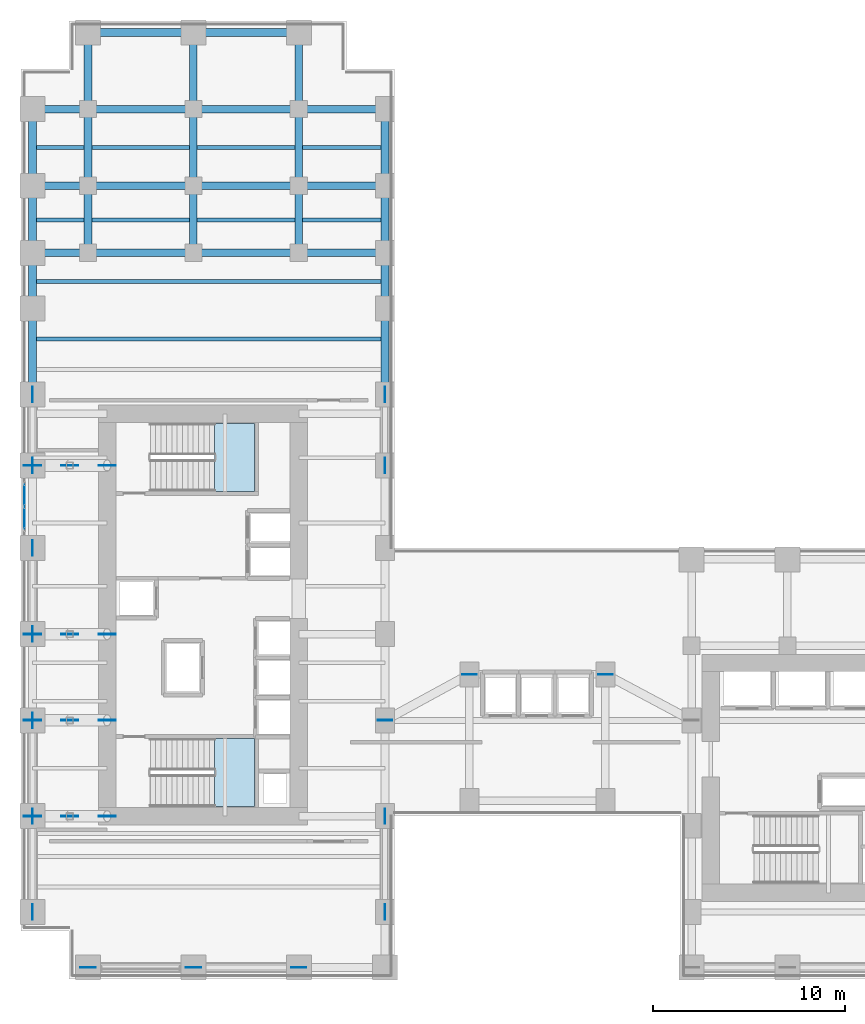
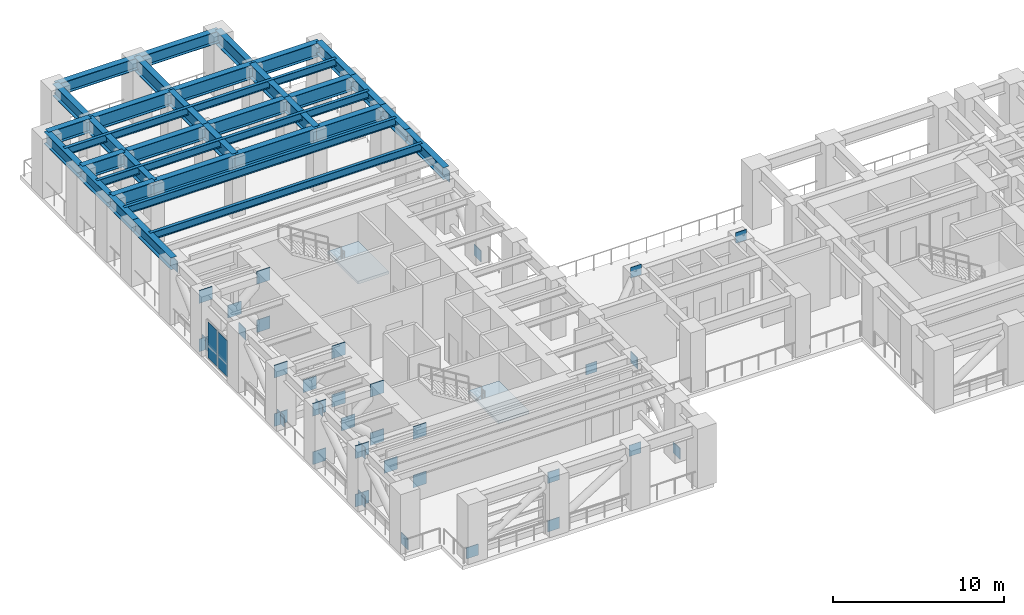
# One storey, part 7 of 16: 41 plates, 35 beams, 2 slabs, 3 elements without a shape of their own.
"""IFC4 building model written with IfcOpenShell, lengths in metres."""

from ifc_helpers import new_model, si_unit, direction, frame, origin, origin_2d, place, context, subcontext, project, spatial, polyline, rectangle, i_section, outline, extrude, source, transform, mapped, material, layer, layer_set, material_profile, profile_set, type_object, element, aggregate, save


model = new_model("IFC4")

# Units and contexts
model_context = context("Model", 3, precision=1e-05, world=origin(), true_north=direction((0.0, 1.0)))
body_context = subcontext(model_context, "Body", "Model", "MODEL_VIEW")
ifc_project = project(units=[si_unit("LENGTHUNIT", "METRE"), si_unit("AREAUNIT", "SQUARE_METRE"), si_unit("VOLUMEUNIT", "CUBIC_METRE"), si_unit("PLANEANGLEUNIT", "RADIAN"), si_unit("MASSUNIT", "GRAM", prefix="KILO")], contexts=[model_context])

# Site, building, storey
site_placement = place(None, origin())
site = spatial("IfcSite", under=ifc_project, at=site_placement, CompositionType="ELEMENT")
building_placement = place(site_placement, origin())
building = spatial("IfcBuilding", under=site, at=building_placement, Name="Kharzan Plaza Tower", CompositionType="ELEMENT")
storey_placement = place(building_placement, frame((0.0, 0.0, 72.89990234375)))
storey = spatial("IfcBuildingStorey", under=building, at=storey_placement, Name="L19", CompositionType="ELEMENT", Elevation=72.89990234375)

# Beams
ifc_material_1 = material(Name="Steel S355", Category="steel")
ifc_material_profile_1 = material_profile(ifc_material_1, i_section(OverallWidth=0.2099609375, OverallDepth=0.537109375, WebThickness=0.010986328125, FlangeThickness=0.017333984375, at=origin_2d()), Name="W530x101")
ifc_profile_set_1 = profile_set([ifc_material_profile_1], Name="Steel S355")
beam_type_1 = type_object("IfcBeamType", Name="BM-JST530B", PredefinedType="JOIST", material=ifc_profile_set_1)
shared_shape_1 = source(origin(), body_context, "Body", "SweptSolid", [
    extrude(i_section(OverallWidth=0.2099609375, OverallDepth=0.537109375, WebThickness=0.010986328125, FlangeThickness=0.017333984375, at=origin_2d()), origin(), (0.0, 0.0, 1.0), 18.39990234375),
])
for number, where, z_axis, x_axis, name in (
    (1, (0.60009765625, 33.39990234375, 3.99169921875), (1.0, 0.0, 0.0), (0.0, 1.0, 0.0), "L19 Wing A Composite Joist 05"),
    (2, (0.60009765625, 36.39990234375, 3.99169921875), (1.0, 0.0, 0.0), (0.0, 1.0, 0.0), "L19 Wing A Composite Joist 06"),
    (3, (0.60009765625, 39.60009765625, 3.99169921875), (1.0, 0.0, 0.0), (0.0, 1.0, 0.0), "L19 Wing A Composite Joist 07"),
    (4, (0.60009765625, 43.39990234375, 3.99169921875), (1.0, 0.0, 0.0), (0.0, 1.0, 0.0), "L19 Wing A Composite Joist 08"),
):
    element("IfcBeam", number, at=place(storey_placement, frame(where, z_axis=z_axis, x_axis=x_axis)), inside=storey, type_object=beam_type_1, Name=name, PredefinedType="JOIST", context=body_context, shape_type="MappedRepresentation", body=[
        mapped(shared_shape_1, transform((0.0, 0.0, 0.0), x_axis=(1.0, 0.0, 0.0), y_axis=(0.0, 1.0, 0.0), z_axis=(0.0, 0.0, 1.0))),
    ])
ifc_material_profile_2 = material_profile(ifc_material_1, i_section(OverallWidth=0.40087890625, OverallDepth=0.85498046875, WebThickness=0.018310546875, FlangeThickness=0.029296875, at=origin_2d()), Name="W840x299")
ifc_profile_set_2 = profile_set([ifc_material_profile_2], Name="Steel S355")
beam_type_2 = type_object("IfcBeamType", Name="BM-SP840A", PredefinedType="SPANDREL", material=ifc_profile_set_2)
shared_shape_2 = source(origin(), body_context, "Body", "SweptSolid", [
    extrude(i_section(OverallWidth=0.40087890625, OverallDepth=0.85498046875, WebThickness=0.018310546875, FlangeThickness=0.029296875, at=origin_2d()), origin(), (0.0, 0.0, 1.0), 4.5),
])
for number, where, z_axis, x_axis, name in (
    (5, (0.60009765625, 30.5, 3.83251953125), (0.0, 1.0, 0.0), (-1.0, 0.0, 0.0), "L19 Perimeter Tube Spandrel"),
    (6, (19.0, 30.5, 3.83251953125), (0.0, 1.0, 0.0), (-1.0, 0.0, 0.0), "L19 Perimeter Tube Spandrel"),
):
    element("IfcBeam", number, at=place(storey_placement, frame(where, z_axis=z_axis, x_axis=x_axis)), inside=storey, type_object=beam_type_2, Name=name, PredefinedType="SPANDREL", context=body_context, shape_type="MappedRepresentation", body=[
        mapped(shared_shape_2, transform((0.0, 0.0, 0.0), x_axis=(1.0, 0.0, 0.0), y_axis=(0.0, 1.0, 0.0), z_axis=(0.0, 0.0, 1.0))),
    ])
shared_shape_3 = source(origin(), body_context, "Body", "SweptSolid", [
    extrude(i_section(OverallWidth=0.40087890625, OverallDepth=0.85498046875, WebThickness=0.018310546875, FlangeThickness=0.029296875, at=origin_2d()), origin(), (0.0, 0.0, 1.0), 2.89990234375),
])
for number, where, z_axis, x_axis, name in (
    (7, (0.60009765625, 35.0, 3.83251953125), (0.0, 1.0, 0.0), (-1.0, 0.0, 0.0), "L19 Perimeter Tube Spandrel"),
    (8, (19.0, 35.0, 3.83251953125), (0.0, 1.0, 0.0), (-1.0, 0.0, 0.0), "L19 Perimeter Tube Spandrel"),
):
    element("IfcBeam", number, at=place(storey_placement, frame(where, z_axis=z_axis, x_axis=x_axis)), inside=storey, type_object=beam_type_2, Name=name, PredefinedType="SPANDREL", context=body_context, shape_type="MappedRepresentation", body=[
        mapped(shared_shape_3, transform((0.0, 0.0, 0.0), x_axis=(1.0, 0.0, 0.0), y_axis=(0.0, 1.0, 0.0), z_axis=(0.0, 0.0, 1.0))),
    ])
shared_shape_4 = source(origin(), body_context, "Body", "SweptSolid", [
    extrude(i_section(OverallWidth=0.40087890625, OverallDepth=0.85498046875, WebThickness=0.018310546875, FlangeThickness=0.029296875, at=origin_2d()), origin(), (0.0, 0.0, 1.0), 3.5),
])
for number, where, z_axis, x_axis, name in (
    (9, (0.60009765625, 37.89990234375, 3.83251953125), (0.0, 1.0, 0.0), (-1.0, 0.0, 0.0), "L19 Perimeter Tube Spandrel"),
    (10, (19.0, 37.89990234375, 3.83251953125), (0.0, 1.0, 0.0), (-1.0, 0.0, 0.0), "L19 Perimeter Tube Spandrel"),
):
    element("IfcBeam", number, at=place(storey_placement, frame(where, z_axis=z_axis, x_axis=x_axis)), inside=storey, type_object=beam_type_2, Name=name, PredefinedType="SPANDREL", context=body_context, shape_type="MappedRepresentation", body=[
        mapped(shared_shape_4, transform((0.0, 0.0, 0.0), x_axis=(1.0, 0.0, 0.0), y_axis=(0.0, 1.0, 0.0), z_axis=(0.0, 0.0, 1.0))),
    ])
shared_shape_5 = source(origin(), body_context, "Body", "SweptSolid", [
    extrude(i_section(OverallWidth=0.40087890625, OverallDepth=0.85498046875, WebThickness=0.018310546875, FlangeThickness=0.029296875, at=origin_2d()), origin(), (0.0, 0.0, 1.0), 4.0),
])
for number, where, z_axis, x_axis, name in (
    (11, (0.60009765625, 41.39990234375, 3.83251953125), (0.0, 1.0, 0.0), (-1.0, 0.0, 0.0), "L19 Perimeter Tube Spandrel"),
    (12, (3.5, 45.39990234375, 3.817626953125), (0.0, 1.0, 0.0), (-1.0, 0.0, 0.0), "L19 Perimeter Tube Spandrel"),
    (13, (19.0, 41.39990234375, 3.83251953125), (0.0, 1.0, 0.0), (-1.0, 0.0, 0.0), "L19 Perimeter Tube Spandrel"),
):
    element("IfcBeam", number, at=place(storey_placement, frame(where, z_axis=z_axis, x_axis=x_axis)), inside=storey, type_object=beam_type_2, Name=name, PredefinedType="SPANDREL", context=body_context, shape_type="MappedRepresentation", body=[
        mapped(shared_shape_5, transform((0.0, 0.0, 0.0), x_axis=(1.0, 0.0, 0.0), y_axis=(0.0, 1.0, 0.0), z_axis=(0.0, 0.0, 1.0))),
    ])
shared_shape_6 = source(origin(), body_context, "Body", "SweptSolid", [
    extrude(i_section(OverallWidth=0.40087890625, OverallDepth=0.85498046875, WebThickness=0.018310546875, FlangeThickness=0.029296875, at=origin_2d()), origin(), (0.0, 0.0, 1.0), 5.5),
])
for number, where, z_axis, x_axis, name in (
    (14, (3.5, 49.39990234375, 3.817626953125), (1.0, 0.0, 0.0), (0.0, 1.0, 0.0), "L19 Perimeter Tube Spandrel"),
    (15, (9.0, 49.39990234375, 3.817626953125), (1.0, 0.0, 0.0), (0.0, 1.0, 0.0), "L19 Perimeter Tube Spandrel"),
):
    element("IfcBeam", number, at=place(storey_placement, frame(where, z_axis=z_axis, x_axis=x_axis)), inside=storey, type_object=beam_type_2, Name=name, PredefinedType="SPANDREL", context=body_context, shape_type="MappedRepresentation", body=[
        mapped(shared_shape_6, transform((0.0, 0.0, 0.0), x_axis=(1.0, 0.0, 0.0), y_axis=(0.0, 1.0, 0.0), z_axis=(0.0, 0.0, 1.0))),
    ])
ifc_material_profile_3 = material_profile(ifc_material_1, i_section(OverallWidth=0.39794921875, OverallDepth=1.0, WebThickness=0.017578125, FlangeThickness=0.02880859375, at=origin_2d()), Name="W1000x321")
ifc_profile_set_3 = profile_set([ifc_material_profile_3], Name="Steel S355")
beam_type_3 = type_object("IfcBeamType", Name="BM-PG1000B", PredefinedType="BEAM", material=ifc_profile_set_3)
shared_shape_7 = source(origin(), body_context, "Body", "SweptSolid", [
    extrude(i_section(OverallWidth=0.39794921875, OverallDepth=1.0, WebThickness=0.017578125, FlangeThickness=0.02880859375, at=origin_2d()), origin(), (0.0, 0.0, 1.0), 4.5),
])
for number, where, z_axis, x_axis, name in (
    (16, (14.5, 41.39990234375, 3.760009765625), (1.0, 0.0, 0.0), (0.0, 1.0, 0.0), "L19 Primary Floor Girder"),
    (17, (14.5, 45.39990234375, 3.760009765625), (1.0, 0.0, 0.0), (0.0, 1.0, 0.0), "L19 Primary Floor Girder"),
    (18, (14.5, 37.89990234375, 3.760009765625), (1.0, 0.0, 0.0), (0.0, 1.0, 0.0), "L19 Primary Floor Girder"),
):
    element("IfcBeam", number, at=place(storey_placement, frame(where, z_axis=z_axis, x_axis=x_axis)), inside=storey, type_object=beam_type_3, Name=name, PredefinedType="BEAM", context=body_context, shape_type="MappedRepresentation", body=[
        mapped(shared_shape_7, transform((0.0, 0.0, 0.0), x_axis=(1.0, 0.0, 0.0), y_axis=(0.0, 1.0, 0.0), z_axis=(0.0, 0.0, 1.0))),
    ])
shared_shape_8 = source(origin(), body_context, "Body", "SweptSolid", [
    extrude(i_section(OverallWidth=0.39794921875, OverallDepth=1.0, WebThickness=0.017578125, FlangeThickness=0.02880859375, at=origin_2d()), origin(), (0.0, 0.0, 1.0), 3.5),
])
for number, where, z_axis, x_axis, name in (
    (19, (3.5, 37.89990234375, 3.760009765625), (0.0, 1.0, 0.0), (-1.0, 0.0, 0.0), "L19 Interior Frame Girder"),
    (20, (9.0, 37.89990234375, 3.760009765625), (0.0, 1.0, 0.0), (-1.0, 0.0, 0.0), "L19 Interior Frame Girder"),
    (21, (14.5, 37.89990234375, 3.760009765625), (0.0, 1.0, 0.0), (-1.0, 0.0, 0.0), "L19 Interior Frame Girder"),
):
    element("IfcBeam", number, at=place(storey_placement, frame(where, z_axis=z_axis, x_axis=x_axis)), inside=storey, type_object=beam_type_3, Name=name, PredefinedType="BEAM", context=body_context, shape_type="MappedRepresentation", body=[
        mapped(shared_shape_8, transform((0.0, 0.0, 0.0), x_axis=(1.0, 0.0, 0.0), y_axis=(0.0, 1.0, 0.0), z_axis=(0.0, 0.0, 1.0))),
    ])
shared_shape_9 = source(origin(), body_context, "Body", "SweptSolid", [
    extrude(i_section(OverallWidth=0.39794921875, OverallDepth=1.0, WebThickness=0.017578125, FlangeThickness=0.02880859375, at=origin_2d()), origin(), (0.0, 0.0, 1.0), 4.0),
])
for number, where, z_axis, x_axis, name in (
    (22, (3.5, 41.39990234375, 3.760009765625), (0.0, 1.0, 0.0), (-1.0, 0.0, 0.0), "L19 Interior Frame Girder"),
    (23, (9.0, 41.39990234375, 3.760009765625), (0.0, 1.0, 0.0), (-1.0, 0.0, 0.0), "L19 Interior Frame Girder"),
    (24, (9.0, 45.39990234375, 3.7451171875), (0.0, 1.0, 0.0), (-1.0, 0.0, 0.0), "L19 Interior Frame Girder"),
    (25, (14.5, 41.39990234375, 3.760009765625), (0.0, 1.0, 0.0), (-1.0, 0.0, 0.0), "L19 Interior Frame Girder"),
    (26, (14.5, 45.39990234375, 3.7451171875), (0.0, 1.0, 0.0), (-1.0, 0.0, 0.0), "L19 Interior Frame Girder"),
):
    element("IfcBeam", number, at=place(storey_placement, frame(where, z_axis=z_axis, x_axis=x_axis)), inside=storey, type_object=beam_type_3, Name=name, PredefinedType="BEAM", context=body_context, shape_type="MappedRepresentation", body=[
        mapped(shared_shape_9, transform((0.0, 0.0, 0.0), x_axis=(1.0, 0.0, 0.0), y_axis=(0.0, 1.0, 0.0), z_axis=(0.0, 0.0, 1.0))),
    ])
shared_shape_10 = source(origin(), body_context, "Body", "SweptSolid", [
    extrude(i_section(OverallWidth=0.39794921875, OverallDepth=1.0, WebThickness=0.017578125, FlangeThickness=0.02880859375, at=origin_2d()), origin(), (0.0, 0.0, 1.0), 5.5),
])
for number, where, z_axis, x_axis, name in (
    (27, (3.5, 45.39990234375, 3.760009765625), (1.0, 0.0, 0.0), (0.0, 1.0, 0.0), "L19 Primary Floor Girder"),
    (28, (9.0, 45.39990234375, 3.760009765625), (1.0, 0.0, 0.0), (0.0, 1.0, 0.0), "L19 Primary Floor Girder"),
    (29, (3.5, 37.89990234375, 3.760009765625), (1.0, 0.0, 0.0), (0.0, 1.0, 0.0), "L19 Primary Floor Girder"),
    (30, (9.0, 37.89990234375, 3.760009765625), (1.0, 0.0, 0.0), (0.0, 1.0, 0.0), "L19 Primary Floor Girder"),
    (31, (3.5, 41.39990234375, 3.760009765625), (1.0, 0.0, 0.0), (0.0, 1.0, 0.0), "L19 Primary Floor Girder"),
    (32, (9.0, 41.39990234375, 3.760009765625), (1.0, 0.0, 0.0), (0.0, 1.0, 0.0), "L19 Primary Floor Girder"),
):
    element("IfcBeam", number, at=place(storey_placement, frame(where, z_axis=z_axis, x_axis=x_axis)), inside=storey, type_object=beam_type_3, Name=name, PredefinedType="BEAM", context=body_context, shape_type="MappedRepresentation", body=[
        mapped(shared_shape_10, transform((0.0, 0.0, 0.0), x_axis=(1.0, 0.0, 0.0), y_axis=(0.0, 1.0, 0.0), z_axis=(0.0, 0.0, 1.0))),
    ])
shared_shape_11 = source(origin(), body_context, "Body", "SweptSolid", [
    extrude(i_section(OverallWidth=0.39794921875, OverallDepth=1.0, WebThickness=0.017578125, FlangeThickness=0.02880859375, at=origin_2d()), origin(), (0.0, 0.0, 1.0), 2.89990234375),
])
for number, where, z_axis, x_axis, name in (
    (33, (0.60009765625, 45.39990234375, 3.760009765625), (1.0, 0.0, 0.0), (0.0, 1.0, 0.0), "L19 Primary Floor Girder"),
    (34, (0.60009765625, 37.89990234375, 3.760009765625), (1.0, 0.0, 0.0), (0.0, 1.0, 0.0), "L19 Primary Floor Girder"),
    (35, (0.60009765625, 41.39990234375, 3.760009765625), (1.0, 0.0, 0.0), (0.0, 1.0, 0.0), "L19 Primary Floor Girder"),
):
    element("IfcBeam", number, at=place(storey_placement, frame(where, z_axis=z_axis, x_axis=x_axis)), inside=storey, type_object=beam_type_3, Name=name, PredefinedType="BEAM", context=body_context, shape_type="MappedRepresentation", body=[
        mapped(shared_shape_11, transform((0.0, 0.0, 0.0), x_axis=(1.0, 0.0, 0.0), y_axis=(0.0, 1.0, 0.0), z_axis=(0.0, 0.0, 1.0))),
    ])

# Stair, slab
ifc_material_2 = material(Name="Concrete C40/50", Category="concrete")
stair_type_1 = type_object("IfcStairType", Name="STR-ST-1", PredefinedType="HALF_TURN_STAIR", material=ifc_material_2)
stair_1_placement = place(storey_placement, origin())
stair_1 = element("IfcStair", 36, at=stair_1_placement, inside=storey, type_object=stair_type_1, Name="L19 Protected Exit Stair ST-1", PredefinedType="HALF_TURN_STAIR")
ifc_layer_1 = layer(ifc_material_2, 0.219970703125)
ifc_layer_set_1 = layer_set([ifc_layer_1], Name="Concrete C40/50")
slab_type = type_object("IfcSlabType", Name="SL-LANDING-220", PredefinedType="LANDING", material=ifc_layer_set_1)
slab_1_placement = place(storey_placement, frame((0.0, 0.0, 2.050048828125)))
slab_1 = element("IfcSlab", 37, at=slab_1_placement, type_object=slab_type, Name="ST-1 landing 1", PredefinedType="LANDING", context=body_context, shape_type="SweptSolid", body=[
    extrude(outline(polyline([(10.110107421875, 9.0), (12.199951171875, 9.0), (12.199951171875, 12.550048828125), (10.110107421875, 12.550048828125), (10.110107421875, 9.0)])), origin(), (0.0, 0.0, 1.0), 0.199951171875),
])
aggregate(stair_1, [slab_1])

stair_type_2 = type_object("IfcStairType", Name="STR-ST-2", PredefinedType="HALF_TURN_STAIR", material=ifc_material_2)
stair_2_placement = place(storey_placement, origin())
stair_2 = element("IfcStair", 38, at=stair_2_placement, inside=storey, type_object=stair_type_2, Name="L19 Protected Exit Stair ST-2", PredefinedType="HALF_TURN_STAIR")
slab_2_placement = place(storey_placement, frame((0.0, 0.0, 2.050048828125)))
slab_2 = element("IfcSlab", 39, at=slab_2_placement, type_object=slab_type, Name="ST-2 landing 1", PredefinedType="LANDING", context=body_context, shape_type="SweptSolid", body=[
    extrude(outline(polyline([(10.110107421875, 25.449951171875), (12.199951171875, 25.449951171875), (12.199951171875, 29.0), (10.110107421875, 29.0), (10.110107421875, 25.449951171875)])), origin(), (0.0, 0.0, 1.0), 0.199951171875),
])
aggregate(stair_2, [slab_2])

# Plates
ifc_material_3 = material(Name="Steel S460", Category="steel")
ifc_layer_2 = layer(ifc_material_3, 0.0400390625)
ifc_layer_set_2 = layer_set([ifc_layer_2], Name="Steel S460")
plate_type_1 = type_object("IfcPlateType", Name="PLT-BTN1", PredefinedType="USERDEFINED", material=ifc_layer_set_2)
shared_shape_12 = source(origin(), body_context, "Body", "SweptSolid", [
    extrude(rectangle(XDim=0.800048828125, YDim=0.0400390625, at=origin_2d()), origin(), (0.0, 0.0, 1.0), 0.800048828125),
])
for number, where, z_axis, x_axis, name in (
    (40, (19.0, 3.5, -0.0498046875), (0.0, 0.0, 1.0), (0.0, 1.0, 0.0), "L19 Belt Truss Node Gusset Plate BTN1-BTA-1"),
    (41, (19.0, 8.5, 3.41015625), (0.0, 0.0, 1.0), (0.0, 1.0, 0.0), "L19 Belt Truss Node Gusset Plate BTN1-T-BTA-1"),
    (42, (19.0, 26.800048828125, -0.0498046875), (0.0, 0.0, 1.0), (0.0, 1.0, 0.0), "L19 Belt Truss Node Gusset Plate BTN1-BTA-2"),
    (43, (19.0, 30.5, 3.41015625), (0.0, 0.0, 1.0), (0.0, 1.0, 0.0), "L19 Belt Truss Node Gusset Plate BTN1-T-BTA-2"),
    (44, (3.5, 0.60009765625, -0.0498046875), (0.0, 0.0, 1.0), (1.0, 0.0, 0.0), "L19 Belt Truss Node Gusset Plate BTN1-BTS-1"),
    (45, (9.0, 0.60009765625, 3.41015625), (0.0, 0.0, 1.0), (1.0, 0.0, 0.0), "L19 Belt Truss Node Gusset Plate BTN1-T-BTS-1"),
    (46, (9.0, 0.60009765625, -0.0498046875), (0.0, 0.0, 1.0), (1.0, 0.0, 0.0), "L19 Belt Truss Node Gusset Plate BTN1-BTS-2"),
    (47, (14.5, 0.60009765625, 3.41015625), (0.0, 0.0, 1.0), (1.0, 0.0, 0.0), "L19 Belt Truss Node Gusset Plate BTN1-T-BTS-2"),
    (48, (0.60009765625, 3.5, -0.0498046875), (0.0, 0.0, 1.0), (0.0, 1.0, 0.0), "L19 Belt Truss Node Gusset Plate BTN1-BTW-1"),
    (49, (0.60009765625, 8.5, 3.41015625), (0.0, 0.0, 1.0), (0.0, 1.0, 0.0), "L19 Belt Truss Node Gusset Plate BTN1-T-BTW-1"),
    (50, (0.60009765625, 8.5, -0.0498046875), (0.0, 0.0, 1.0), (0.0, 1.0, 0.0), "L19 Belt Truss Node Gusset Plate BTN1-BTW-2"),
    (51, (0.60009765625, 13.5, 3.41015625), (0.0, 0.0, 1.0), (0.0, 1.0, 0.0), "L19 Belt Truss Node Gusset Plate BTN1-T-BTW-2"),
    (52, (0.60009765625, 18.0, -0.0498046875), (0.0, 0.0, 1.0), (0.0, 1.0, 0.0), "L19 Belt Truss Node Gusset Plate BTN1-BTW-3"),
    (53, (0.60009765625, 22.5, 3.41015625), (0.0, 0.0, 1.0), (0.0, 1.0, 0.0), "L19 Belt Truss Node Gusset Plate BTN1-T-BTW-3"),
    (54, (0.60009765625, 26.800048828125, -0.0498046875), (0.0, 0.0, 1.0), (0.0, 1.0, 0.0), "L19 Belt Truss Node Gusset Plate BTN1-BTW-4"),
    (55, (0.60009765625, 30.5, 3.41015625), (0.0, 0.0, 1.0), (0.0, 1.0, 0.0), "L19 Belt Truss Node Gusset Plate BTN1-T-BTW-4"),
):
    element("IfcPlate", number, at=place(storey_placement, frame(where, z_axis=z_axis, x_axis=x_axis)), inside=storey, type_object=plate_type_1, Name=name, ObjectType="GUSSET_PLATE", PredefinedType="USERDEFINED", context=body_context, shape_type="MappedRepresentation", body=[
        mapped(shared_shape_12, transform((0.0, 0.0, 0.0), x_axis=(1.0, 0.0, 0.0), y_axis=(0.0, 1.0, 0.0), z_axis=(0.0, 0.0, 1.0))),
    ])

# Curtain wall, plates
ifc_material_4 = material(Name="Unitised Bronze-Anodized Aluminium and Low-E Glass", Category="aluminium")
ifc_layer_3 = layer(ifc_material_4, 0.199951171875)
ifc_layer_set_3 = layer_set([ifc_layer_3], Name="Unitised Bronze-Anodized Aluminium and Low-E Glass")
curtain_wall_type = type_object("IfcCurtainWallType", Name="CW-SKY-4", PredefinedType="NOTDEFINED", material=ifc_layer_set_3)
curtain_wall_placement = place(storey_placement, origin())
curtain_wall = element("IfcCurtainWall", 56, at=curtain_wall_placement, inside=storey, type_object=curtain_wall_type, Name="L19 Sky-Lobby and Transfer Zone Feature Curtain Wall", PredefinedType="NOTDEFINED")
ifc_material_5 = material(Name="Dark Solar-Control Double Glazing", Category="glass")
ifc_layer_4 = layer(ifc_material_5, 0.031982421875)
ifc_layer_set_4 = layer_set([ifc_layer_4], Name="Dark Solar-Control Double Glazing")
plate_type_2 = type_object("IfcPlateType", Name="PLT-CW-GLASS", PredefinedType="CURTAIN_PANEL", material=ifc_layer_set_4)
shared_shape_13 = source(origin(), body_context, "Body", "SweptSolid", [
    extrude(rectangle(XDim=1.080078125, YDim=0.031982421875, at=origin_2d()), origin(), (0.0, 0.0, 1.0), 2.590087890625),
])
plate_1_placement = place(storey_placement, frame((0.179931640625, 24.050048828125, 0.080078125), z_axis=(0.0, 0.0, 1.0), x_axis=(0.0, 1.0, 0.0)))
plate_1 = element("IfcPlate", 57, at=plate_1_placement, type_object=plate_type_2, Name="L19 Curtain-Wall Glazed Panel 00", PredefinedType="CURTAIN_PANEL", context=body_context, shape_type="MappedRepresentation", body=[
    mapped(shared_shape_13, transform((0.0, 0.0, 0.0), x_axis=(1.0, 0.0, 0.0), y_axis=(0.0, 1.0, 0.0), z_axis=(0.0, 0.0, 1.0))),
])
plate_2_placement = place(storey_placement, frame((0.179931640625, 25.25, 0.080078125), z_axis=(0.0, 0.0, 1.0), x_axis=(0.0, 1.0, 0.0)))
plate_2 = element("IfcPlate", 58, at=plate_2_placement, type_object=plate_type_2, Name="L19 Curtain-Wall Glazed Panel 01", PredefinedType="CURTAIN_PANEL", context=body_context, shape_type="MappedRepresentation", body=[
    mapped(shared_shape_13, transform((0.0, 0.0, 0.0), x_axis=(1.0, 0.0, 0.0), y_axis=(0.0, 1.0, 0.0), z_axis=(0.0, 0.0, 1.0))),
])
aggregate(curtain_wall, [plate_1, plate_2])

# Plates
ifc_layer_5 = layer(ifc_material_3, 0.044921875)
ifc_layer_set_5 = layer_set([ifc_layer_5], Name="Steel S460")
plate_type_3 = type_object("IfcPlateType", Name="PLT-OTN1", PredefinedType="USERDEFINED", material=ifc_layer_set_5)
shared_shape_14 = source(origin(), body_context, "Body", "SweptSolid", [
    extrude(rectangle(XDim=0.89990234375, YDim=0.044921875, at=origin_2d()), origin(), (0.0, 0.0, 1.0), 0.89990234375),
])
for number, where, z_axis, x_axis, name in (
    (59, (4.5, 18.0, -0.099853515625), (0.0, 0.0, 1.0), (-1.0, 0.0, 0.0), "L19 Outrigger Truss Gusset Node Plate OTN1-OTA-E1"),
    (60, (0.60009765625, 18.0, -0.099853515625), (0.0, 0.0, 1.0), (-1.0, 0.0, 0.0), "L19 Outrigger Truss Gusset Node Plate OTN1-CB-OTA-E1"),
    (61, (0.60009765625, 18.0, 3.360107421875), (0.0, 0.0, 1.0), (-1.0, 0.0, 0.0), "L19 Outrigger Truss Gusset Node Plate OTN1-CT-OTA-E1"),
    (62, (2.550048828125, 18.0, 1.630126953125), (0.0, 0.0, 1.0), (-1.0, 0.0, 0.0), "L19 Outrigger Truss Gusset Node Plate OTN1-M-OTA-E1"),
    (63, (4.5, 18.0, 3.360107421875), (0.0, 0.0, 1.0), (-1.0, 0.0, 0.0), "L19 Outrigger Truss Gusset Node Plate OTN1-T-OTA-E1"),
    (64, (4.5, 26.800048828125, -0.099853515625), (0.0, 0.0, 1.0), (-1.0, 0.0, 0.0), "L19 Outrigger Truss Gusset Node Plate OTN1-OTA-E2"),
    (65, (0.60009765625, 26.800048828125, -0.099853515625), (0.0, 0.0, 1.0), (-1.0, 0.0, 0.0), "L19 Outrigger Truss Gusset Node Plate OTN1-CB-OTA-E2"),
    (66, (0.60009765625, 26.800048828125, 3.360107421875), (0.0, 0.0, 1.0), (-1.0, 0.0, 0.0), "L19 Outrigger Truss Gusset Node Plate OTN1-CT-OTA-E2"),
    (67, (2.550048828125, 26.800048828125, 1.630126953125), (0.0, 0.0, 1.0), (-1.0, 0.0, 0.0), "L19 Outrigger Truss Gusset Node Plate OTN1-M-OTA-E2"),
    (68, (4.5, 26.800048828125, 3.360107421875), (0.0, 0.0, 1.0), (-1.0, 0.0, 0.0), "L19 Outrigger Truss Gusset Node Plate OTN1-T-OTA-E2"),
    (69, (4.5, 8.5, -0.099853515625), (0.0, 0.0, 1.0), (-1.0, 0.0, 0.0), "L19 Outrigger Truss Gusset Node Plate OTN1-OTA-W1"),
    (70, (0.60009765625, 8.5, -0.099853515625), (0.0, 0.0, 1.0), (-1.0, 0.0, 0.0), "L19 Outrigger Truss Gusset Node Plate OTN1-CB-OTA-W1"),
    (71, (0.60009765625, 8.5, 3.360107421875), (0.0, 0.0, 1.0), (-1.0, 0.0, 0.0), "L19 Outrigger Truss Gusset Node Plate OTN1-CT-OTA-W1"),
    (72, (2.550048828125, 8.5, 1.630126953125), (0.0, 0.0, 1.0), (-1.0, 0.0, 0.0), "L19 Outrigger Truss Gusset Node Plate OTN1-M-OTA-W1"),
    (73, (4.5, 8.5, 3.360107421875), (0.0, 0.0, 1.0), (-1.0, 0.0, 0.0), "L19 Outrigger Truss Gusset Node Plate OTN1-T-OTA-W1"),
    (74, (4.5, 13.5, -0.099853515625), (0.0, 0.0, 1.0), (-1.0, 0.0, 0.0), "L19 Outrigger Truss Gusset Node Plate OTN1-OTA-W2"),
    (75, (0.60009765625, 13.5, -0.099853515625), (0.0, 0.0, 1.0), (-1.0, 0.0, 0.0), "L19 Outrigger Truss Gusset Node Plate OTN1-CB-OTA-W2"),
    (76, (0.60009765625, 13.5, 3.360107421875), (0.0, 0.0, 1.0), (-1.0, 0.0, 0.0), "L19 Outrigger Truss Gusset Node Plate OTN1-CT-OTA-W2"),
    (77, (2.550048828125, 13.5, 1.630126953125), (0.0, 0.0, 1.0), (-1.0, 0.0, 0.0), "L19 Outrigger Truss Gusset Node Plate OTN1-M-OTA-W2"),
    (78, (4.5, 13.5, 3.360107421875), (0.0, 0.0, 1.0), (-1.0, 0.0, 0.0), "L19 Outrigger Truss Gusset Node Plate OTN1-T-OTA-W2"),
):
    element("IfcPlate", number, at=place(storey_placement, frame(where, z_axis=z_axis, x_axis=x_axis)), inside=storey, type_object=plate_type_3, Name=name, ObjectType="GUSSET_PLATE", PredefinedType="USERDEFINED", context=body_context, shape_type="MappedRepresentation", body=[
        mapped(shared_shape_14, transform((0.0, 0.0, 0.0), x_axis=(1.0, 0.0, 0.0), y_axis=(0.0, 1.0, 0.0), z_axis=(0.0, 0.0, 1.0))),
    ])
ifc_layer_6 = layer(ifc_material_3, 0.0380859375)
ifc_layer_set_6 = layer_set([ifc_layer_6], Name="Steel S460")
plate_type_4 = type_object("IfcPlateType", Name="PLT-WPN1", PredefinedType="USERDEFINED", material=ifc_layer_set_6)
shared_shape_15 = source(origin(), body_context, "Body", "SweptSolid", [
    extrude(rectangle(XDim=0.75, YDim=0.0380859375, at=origin_2d()), origin(), (0.0, 0.0, 1.0), 0.75),
])
for number, where, z_axis, x_axis, name in (
    (79, (23.39990234375, 15.89990234375, 3.76513671875), (0.0, 0.0, 1.0), (1.0, 0.0, 0.0), "L19 Wind Portal Node Gusset Plate WPN1"),
    (80, (30.5, 15.89990234375, 3.76513671875), (0.0, 0.0, 1.0), (1.0, 0.0, 0.0), "L19 Wind Portal Node Gusset Plate WPN1-ET"),
    (81, (19.0, 13.5, -0.1748046875), (0.0, 0.0, 1.0), (1.0, 0.0, 0.0), "L19 Wind Portal Node Gusset Plate WPN1-WB"),
):
    element("IfcPlate", number, at=place(storey_placement, frame(where, z_axis=z_axis, x_axis=x_axis)), inside=storey, type_object=plate_type_4, Name=name, ObjectType="GUSSET_PLATE", PredefinedType="USERDEFINED", context=body_context, shape_type="MappedRepresentation", body=[
        mapped(shared_shape_15, transform((0.0, 0.0, 0.0), x_axis=(1.0, 0.0, 0.0), y_axis=(0.0, 1.0, 0.0), z_axis=(0.0, 0.0, 1.0))),
    ])

save(model, "model.ifc")
